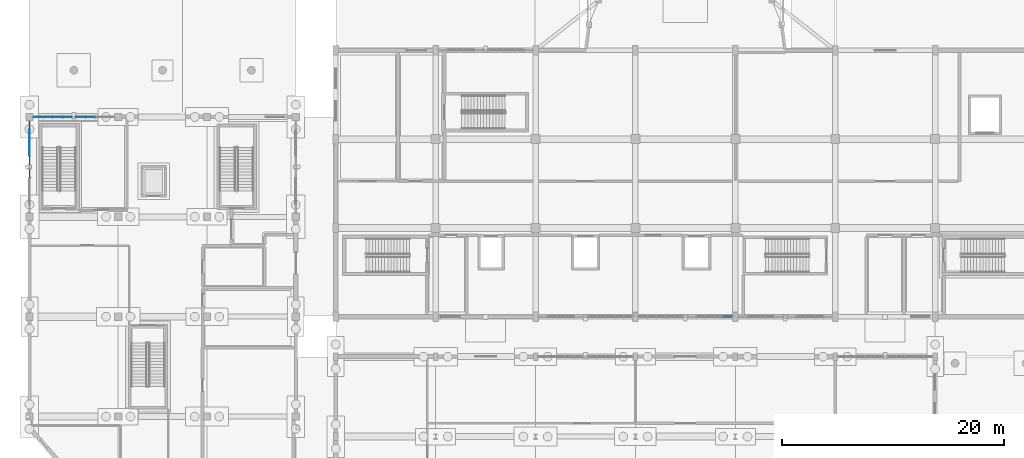
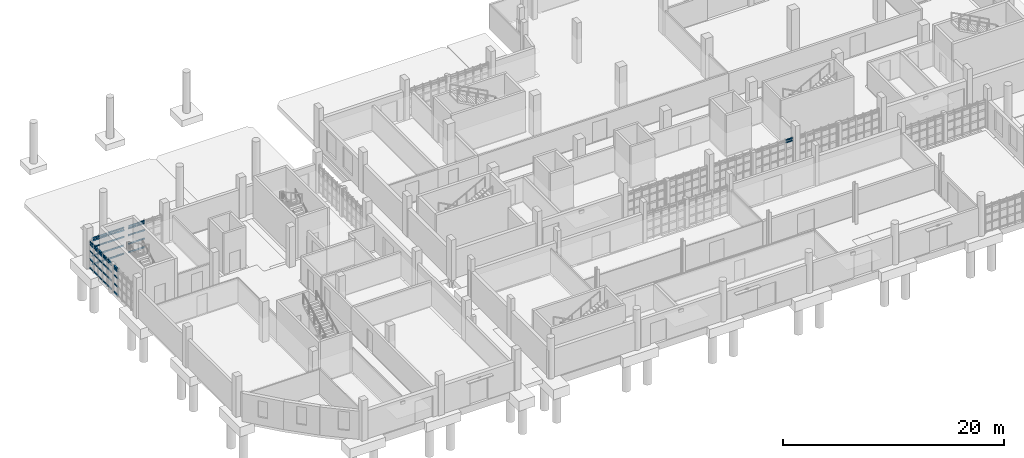
# One storey, part 24 of 63: 62 members, 5 elements without a shape of their own.
"""IFC4 building model written with IfcOpenShell, lengths in metres."""

from ifc_helpers import new_model, si_unit, direction, frame, origin, origin_2d, place, context, subcontext, project, spatial, rectangle, extrude, material, material_profile, profile_set, type_object, element, aggregate, save


model = new_model("IFC4")

# Units and contexts
model_context = context("Model", 3, precision=1e-05, world=origin(), true_north=direction((0.0, 1.0)))
body_context = subcontext(model_context, "Body", "Model", "MODEL_VIEW")
ifc_project = project(units=[si_unit("LENGTHUNIT", "METRE"), si_unit("AREAUNIT", "SQUARE_METRE"), si_unit("VOLUMEUNIT", "CUBIC_METRE"), si_unit("PLANEANGLEUNIT", "RADIAN"), si_unit("MASSUNIT", "GRAM", prefix="KILO")], contexts=[model_context])

# Site, building, storey
site_placement = place(None, origin())
site = spatial("IfcSite", under=ifc_project, at=site_placement, CompositionType="ELEMENT")
building_placement = place(site_placement, origin())
building = spatial("IfcBuilding", under=site, at=building_placement, Name="Serraforn Aerial Cableway Station", CompositionType="ELEMENT")
storey_placement = place(building_placement, origin())
storey = spatial("IfcBuildingStorey", under=building, at=storey_placement, Name="L00", CompositionType="ELEMENT", Elevation=0.0)

# Curtain wall, members
ifc_material_1 = material(Name="Anodised bronze unitised curtain wall")
curtain_wall_type_1 = type_object("IfcCurtainWallType", Name="CW-SYS-1", PredefinedType="USERDEFINED", material=ifc_material_1)
curtain_wall_1_placement = place(storey_placement, origin())
curtain_wall_1 = element("IfcCurtainWall", 1, at=curtain_wall_1_placement, inside=storey, type_object=curtain_wall_type_1, Name="Unitised Curtain Wall CW-W-L00-N1A", ObjectType="UNITISED CURTAIN WALL", PredefinedType="USERDEFINED")
ifc_material_2 = material(Name="Anodised bronze extruded aluminium", Category="aluminium")
ifc_material_profile_1 = material_profile(ifc_material_2, rectangle(XDim=0.054931640625, YDim=0.110107421875, at=origin_2d()), Name="CW TRANSOM 55x110")
ifc_profile_set_1 = profile_set([ifc_material_profile_1], Name="Anodised bronze extruded aluminium")
member_type_1 = type_object("IfcMemberType", Name="CW-TRN-1", PredefinedType="USERDEFINED", material=ifc_profile_set_1)
member_1_placement = place(storey_placement, frame((5.8955078125, 36.0, 1.060791015625), z_axis=(-1.0, 0.0, 0.0), x_axis=(0.0, -1.0, 0.0)))
member_1 = element("IfcMember", 2, at=member_1_placement, type_object=member_type_1, Name="Curtain Wall Transom CW-W-L00-N1A-T3-2", ObjectType="TRANSOM", PredefinedType="USERDEFINED", context=body_context, shape_type="SweptSolid", body=[
    extrude(rectangle(XDim=0.054931640625, YDim=0.110107421875, at=origin_2d()), origin(), (0.0, 0.0, 1.0), 0.8056640625),
])
member_2_placement = place(storey_placement, frame((5.018798828125, 36.0, 0.124755859375), z_axis=(-1.0, 0.0, 0.0), x_axis=(0.0, -1.0, 0.0)))
member_2 = element("IfcMember", 3, at=member_2_placement, type_object=member_type_1, Name="Curtain Wall Transom CW-W-L00-N1A-T4-1", ObjectType="TRANSOM", PredefinedType="USERDEFINED", context=body_context, shape_type="SweptSolid", body=[
    extrude(rectangle(XDim=0.054931640625, YDim=0.110107421875, at=origin_2d()), origin(), (0.0, 0.0, 1.0), 0.785888671875),
])

curtain_wall_type_2 = type_object("IfcCurtainWallType", Name="CW-SYS-2", PredefinedType="USERDEFINED", material=ifc_material_1)
curtain_wall_2_placement = place(storey_placement, origin())
curtain_wall_2 = element("IfcCurtainWall", 4, at=curtain_wall_2_placement, inside=storey, type_object=curtain_wall_type_2, Name="Unitised Curtain Wall CW-W-L00-N1B", ObjectType="UNITISED CURTAIN WALL", PredefinedType="USERDEFINED")
member_3_placement = place(storey_placement, frame((3.757080078125, 36.0, 1.996826171875), z_axis=(-1.0, 0.0, 0.0), x_axis=(0.0, -1.0, 0.0)))
member_3 = element("IfcMember", 5, at=member_3_placement, type_object=member_type_1, Name="Curtain Wall Transom CW-W-L00-N1B-T1-3", ObjectType="TRANSOM", PredefinedType="USERDEFINED", context=body_context, shape_type="SweptSolid", body=[
    extrude(rectangle(XDim=0.054931640625, YDim=0.110107421875, at=origin_2d()), origin(), (0.0, 0.0, 1.0), 0.7783203125),
])
member_4_placement = place(storey_placement, frame((2.91259765625, 36.0, 1.060791015625), z_axis=(-1.0, 0.0, 0.0), x_axis=(0.0, -1.0, 0.0)))
member_4 = element("IfcMember", 6, at=member_4_placement, type_object=member_type_1, Name="Curtain Wall Transom CW-W-L00-N1B-T2-2", ObjectType="TRANSOM", PredefinedType="USERDEFINED", context=body_context, shape_type="SweptSolid", body=[
    extrude(rectangle(XDim=0.054931640625, YDim=0.110107421875, at=origin_2d()), origin(), (0.0, 0.0, 1.0), 0.8056640625),
])
member_5_placement = place(storey_placement, frame((2.035888671875, 36.0, 0.124755859375), z_axis=(-1.0, 0.0, 0.0), x_axis=(0.0, -1.0, 0.0)))
member_5 = element("IfcMember", 7, at=member_5_placement, type_object=member_type_1, Name="Curtain Wall Transom CW-W-L00-N1B-T3-1", ObjectType="TRANSOM", PredefinedType="USERDEFINED", context=body_context, shape_type="SweptSolid", body=[
    extrude(rectangle(XDim=0.054931640625, YDim=0.110107421875, at=origin_2d()), origin(), (0.0, 0.0, 1.0), 0.81298828125),
])
member_6_placement = place(storey_placement, frame((1.171630859375, 36.0, 2.9951171875), z_axis=(-1.0, 0.0, 0.0), x_axis=(0.0, -1.0, 0.0)))
member_6 = element("IfcMember", 8, at=member_6_placement, type_object=member_type_1, Name="Curtain Wall Transom CW-W-L00-N1B-T4-5", ObjectType="TRANSOM", PredefinedType="USERDEFINED", context=body_context, shape_type="SweptSolid", body=[
    extrude(rectangle(XDim=0.054931640625, YDim=0.110107421875, at=origin_2d()), origin(), (0.0, 0.0, 1.0), 0.79052734375),
])

curtain_wall_type_3 = type_object("IfcCurtainWallType", Name="CW-SYS-7", PredefinedType="USERDEFINED", material=ifc_material_1)
curtain_wall_3_placement = place(storey_placement, origin())
curtain_wall_3 = element("IfcCurtainWall", 9, at=curtain_wall_3_placement, inside=storey, type_object=curtain_wall_type_3, Name="Unitised Curtain Wall CW-W-L00-W4A", ObjectType="UNITISED CURTAIN WALL", PredefinedType="USERDEFINED")
member_7_placement = place(storey_placement, frame((0.0, 35.614013671875, 1.996826171875), z_axis=(0.0, -1.0, 0.0), x_axis=(1.0, 0.0, 0.0)))
member_7 = element("IfcMember", 10, at=member_7_placement, type_object=member_type_1, Name="Curtain Wall Transom CW-W-L00-W4A-T1-3", ObjectType="TRANSOM", PredefinedType="USERDEFINED", context=body_context, shape_type="SweptSolid", body=[
    extrude(rectangle(XDim=0.054931640625, YDim=0.110107421875, at=origin_2d()), origin(), (0.0, 0.0, 1.0), 0.703369140625),
])
member_8_placement = place(storey_placement, frame((0.0, 34.844482421875, 1.060791015625), z_axis=(0.0, -1.0, 0.0), x_axis=(1.0, 0.0, 0.0)))
member_8 = element("IfcMember", 11, at=member_8_placement, type_object=member_type_1, Name="Curtain Wall Transom CW-W-L00-W4A-T2-2", ObjectType="TRANSOM", PredefinedType="USERDEFINED", context=body_context, shape_type="SweptSolid", body=[
    extrude(rectangle(XDim=0.054931640625, YDim=0.110107421875, at=origin_2d()), origin(), (0.0, 0.0, 1.0), 0.730712890625),
])
member_9_placement = place(storey_placement, frame((0.0, 34.042724609375, 0.124755859375), z_axis=(0.0, -1.0, 0.0), x_axis=(1.0, 0.0, 0.0)))
member_9 = element("IfcMember", 12, at=member_9_placement, type_object=member_type_1, Name="Curtain Wall Transom CW-W-L00-W4A-T3-1", ObjectType="TRANSOM", PredefinedType="USERDEFINED", context=body_context, shape_type="SweptSolid", body=[
    extrude(rectangle(XDim=0.054931640625, YDim=0.110107421875, at=origin_2d()), origin(), (0.0, 0.0, 1.0), 0.738525390625),
])
member_10_placement = place(storey_placement, frame((0.0, 33.25341796875, 2.9951171875), z_axis=(0.0, -1.0, 0.0), x_axis=(1.0, 0.0, 0.0)))
member_10 = element("IfcMember", 13, at=member_10_placement, type_object=member_type_1, Name="Curtain Wall Transom CW-W-L00-W4A-T4-5", ObjectType="TRANSOM", PredefinedType="USERDEFINED", context=body_context, shape_type="SweptSolid", body=[
    extrude(rectangle(XDim=0.054931640625, YDim=0.110107421875, at=origin_2d()), origin(), (0.0, 0.0, 1.0), 0.74609375),
])
member_11_placement = place(storey_placement, frame((0.0, 32.451416015625, 2.74560546875), z_axis=(0.0, -1.0, 0.0), x_axis=(1.0, 0.0, 0.0)))
member_11 = element("IfcMember", 14, at=member_11_placement, type_object=member_type_1, Name="Curtain Wall Transom CW-W-L00-W4A-T5-4", ObjectType="TRANSOM", PredefinedType="USERDEFINED", context=body_context, shape_type="SweptSolid", body=[
    extrude(rectangle(XDim=0.054931640625, YDim=0.110107421875, at=origin_2d()), origin(), (0.0, 0.0, 1.0), 0.70849609375),
])

# Curtain wall, member
curtain_wall_type_4 = type_object("IfcCurtainWallType", Name="CW-SYS-8", PredefinedType="USERDEFINED", material=ifc_material_1)
curtain_wall_4_placement = place(storey_placement, origin())
curtain_wall_4 = element("IfcCurtainWall", 15, at=curtain_wall_4_placement, inside=storey, type_object=curtain_wall_type_4, Name="Unitised Curtain Wall CW-W-L00-W4B", ObjectType="UNITISED CURTAIN WALL", PredefinedType="USERDEFINED")
member_12_placement = place(storey_placement, frame((0.0, 31.251953125, 1.060791015625), z_axis=(0.0, -1.0, 0.0), x_axis=(1.0, 0.0, 0.0)))
member_12 = element("IfcMember", 16, at=member_12_placement, type_object=member_type_1, Name="Curtain Wall Transom CW-W-L00-W4B-T1-2", ObjectType="TRANSOM", PredefinedType="USERDEFINED", context=body_context, shape_type="SweptSolid", body=[
    extrude(rectangle(XDim=0.054931640625, YDim=0.110107421875, at=origin_2d()), origin(), (0.0, 0.0, 1.0), 0.69580078125),
])

curtain_wall_type_5 = type_object("IfcCurtainWallType", Name="CW-SYS-6", PredefinedType="USERDEFINED", material=ifc_material_1)
curtain_wall_5_placement = place(storey_placement, origin())
curtain_wall_5 = element("IfcCurtainWall", 17, at=curtain_wall_5_placement, inside=storey, type_object=curtain_wall_type_5, Name="Unitised Curtain Wall CW-CV-L00-S4B", ObjectType="UNITISED CURTAIN WALL", PredefinedType="USERDEFINED")
member_13_placement = place(storey_placement, frame((62.565673828125, 18.0, 2.74560546875), z_axis=(1.0, 0.0, 0.0), x_axis=(0.0, 1.0, 0.0)))
member_13 = element("IfcMember", 18, at=member_13_placement, type_object=member_type_1, Name="Curtain Wall Transom CW-CV-L00-S4B-T5-4", ObjectType="TRANSOM", PredefinedType="USERDEFINED", context=body_context, shape_type="SweptSolid", body=[
    extrude(rectangle(XDim=0.054931640625, YDim=0.110107421875, at=origin_2d()), origin(), (0.0, 0.0, 1.0), 0.723388671875),
])

# Member
ifc_material_profile_2 = material_profile(ifc_material_2, rectangle(XDim=0.06005859375, YDim=0.1201171875, at=origin_2d()), Name="CW TRANSOM 60x120")
ifc_profile_set_2 = profile_set([ifc_material_profile_2], Name="Anodised bronze extruded aluminium")
member_type_2 = type_object("IfcMemberType", Name="CW-TRN-2", PredefinedType="USERDEFINED", material=ifc_profile_set_2)
member_14_placement = place(storey_placement, frame((5.8955078125, 36.0, 1.996826171875), z_axis=(-1.0, 0.0, 0.0), x_axis=(0.0, -1.0, 0.0)))
member_14 = element("IfcMember", 19, at=member_14_placement, type_object=member_type_2, Name="Curtain Wall Transom CW-W-L00-N1A-T3-3", ObjectType="TRANSOM", PredefinedType="USERDEFINED", context=body_context, shape_type="SweptSolid", body=[
    extrude(rectangle(XDim=0.06005859375, YDim=0.1201171875, at=origin_2d()), origin(), (0.0, 0.0, 1.0), 0.8056640625),
])

member_15_placement = place(storey_placement, frame((5.018798828125, 36.0, 1.060791015625), z_axis=(-1.0, 0.0, 0.0), x_axis=(0.0, -1.0, 0.0)))
member_15 = element("IfcMember", 20, at=member_15_placement, type_object=member_type_2, Name="Curtain Wall Transom CW-W-L00-N1A-T4-2", ObjectType="TRANSOM", PredefinedType="USERDEFINED", context=body_context, shape_type="SweptSolid", body=[
    extrude(rectangle(XDim=0.06005859375, YDim=0.1201171875, at=origin_2d()), origin(), (0.0, 0.0, 1.0), 0.785888671875),
])

member_16_placement = place(storey_placement, frame((3.757080078125, 36.0, 2.74560546875), z_axis=(-1.0, 0.0, 0.0), x_axis=(0.0, -1.0, 0.0)))
member_16 = element("IfcMember", 21, at=member_16_placement, type_object=member_type_2, Name="Curtain Wall Transom CW-W-L00-N1B-T1-4", ObjectType="TRANSOM", PredefinedType="USERDEFINED", context=body_context, shape_type="SweptSolid", body=[
    extrude(rectangle(XDim=0.06005859375, YDim=0.1201171875, at=origin_2d()), origin(), (0.0, 0.0, 1.0), 0.7783203125),
])

member_17_placement = place(storey_placement, frame((2.91259765625, 36.0, 1.996826171875), z_axis=(-1.0, 0.0, 0.0), x_axis=(0.0, -1.0, 0.0)))
member_17 = element("IfcMember", 22, at=member_17_placement, type_object=member_type_2, Name="Curtain Wall Transom CW-W-L00-N1B-T2-3", ObjectType="TRANSOM", PredefinedType="USERDEFINED", context=body_context, shape_type="SweptSolid", body=[
    extrude(rectangle(XDim=0.06005859375, YDim=0.1201171875, at=origin_2d()), origin(), (0.0, 0.0, 1.0), 0.8056640625),
])

member_18_placement = place(storey_placement, frame((2.035888671875, 36.0, 1.060791015625), z_axis=(-1.0, 0.0, 0.0), x_axis=(0.0, -1.0, 0.0)))
member_18 = element("IfcMember", 23, at=member_18_placement, type_object=member_type_2, Name="Curtain Wall Transom CW-W-L00-N1B-T3-2", ObjectType="TRANSOM", PredefinedType="USERDEFINED", context=body_context, shape_type="SweptSolid", body=[
    extrude(rectangle(XDim=0.06005859375, YDim=0.1201171875, at=origin_2d()), origin(), (0.0, 0.0, 1.0), 0.81298828125),
])

member_19_placement = place(storey_placement, frame((1.171630859375, 36.0, 0.124755859375), z_axis=(-1.0, 0.0, 0.0), x_axis=(0.0, -1.0, 0.0)))
member_19 = element("IfcMember", 24, at=member_19_placement, type_object=member_type_2, Name="Curtain Wall Transom CW-W-L00-N1B-T4-1", ObjectType="TRANSOM", PredefinedType="USERDEFINED", context=body_context, shape_type="SweptSolid", body=[
    extrude(rectangle(XDim=0.06005859375, YDim=0.1201171875, at=origin_2d()), origin(), (0.0, 0.0, 1.0), 0.79052734375),
])

member_20_placement = place(storey_placement, frame((0.0, 35.614013671875, 2.74560546875), z_axis=(0.0, -1.0, 0.0), x_axis=(1.0, 0.0, 0.0)))
member_20 = element("IfcMember", 25, at=member_20_placement, type_object=member_type_2, Name="Curtain Wall Transom CW-W-L00-W4A-T1-4", ObjectType="TRANSOM", PredefinedType="USERDEFINED", context=body_context, shape_type="SweptSolid", body=[
    extrude(rectangle(XDim=0.06005859375, YDim=0.1201171875, at=origin_2d()), origin(), (0.0, 0.0, 1.0), 0.703369140625),
])

member_21_placement = place(storey_placement, frame((0.0, 34.844482421875, 1.996826171875), z_axis=(0.0, -1.0, 0.0), x_axis=(1.0, 0.0, 0.0)))
member_21 = element("IfcMember", 26, at=member_21_placement, type_object=member_type_2, Name="Curtain Wall Transom CW-W-L00-W4A-T2-3", ObjectType="TRANSOM", PredefinedType="USERDEFINED", context=body_context, shape_type="SweptSolid", body=[
    extrude(rectangle(XDim=0.06005859375, YDim=0.1201171875, at=origin_2d()), origin(), (0.0, 0.0, 1.0), 0.730712890625),
])

member_22_placement = place(storey_placement, frame((0.0, 34.042724609375, 1.060791015625), z_axis=(0.0, -1.0, 0.0), x_axis=(1.0, 0.0, 0.0)))
member_22 = element("IfcMember", 27, at=member_22_placement, type_object=member_type_2, Name="Curtain Wall Transom CW-W-L00-W4A-T3-2", ObjectType="TRANSOM", PredefinedType="USERDEFINED", context=body_context, shape_type="SweptSolid", body=[
    extrude(rectangle(XDim=0.06005859375, YDim=0.1201171875, at=origin_2d()), origin(), (0.0, 0.0, 1.0), 0.738525390625),
])

member_23_placement = place(storey_placement, frame((0.0, 33.25341796875, 0.124755859375), z_axis=(0.0, -1.0, 0.0), x_axis=(1.0, 0.0, 0.0)))
member_23 = element("IfcMember", 28, at=member_23_placement, type_object=member_type_2, Name="Curtain Wall Transom CW-W-L00-W4A-T4-1", ObjectType="TRANSOM", PredefinedType="USERDEFINED", context=body_context, shape_type="SweptSolid", body=[
    extrude(rectangle(XDim=0.06005859375, YDim=0.1201171875, at=origin_2d()), origin(), (0.0, 0.0, 1.0), 0.74609375),
])

member_24_placement = place(storey_placement, frame((0.0, 32.451416015625, 2.9951171875), z_axis=(0.0, -1.0, 0.0), x_axis=(1.0, 0.0, 0.0)))
member_24 = element("IfcMember", 29, at=member_24_placement, type_object=member_type_2, Name="Curtain Wall Transom CW-W-L00-W4A-T5-5", ObjectType="TRANSOM", PredefinedType="USERDEFINED", context=body_context, shape_type="SweptSolid", body=[
    extrude(rectangle(XDim=0.06005859375, YDim=0.1201171875, at=origin_2d()), origin(), (0.0, 0.0, 1.0), 0.70849609375),
])

member_25_placement = place(storey_placement, frame((0.0, 31.251953125, 1.996826171875), z_axis=(0.0, -1.0, 0.0), x_axis=(1.0, 0.0, 0.0)))
member_25 = element("IfcMember", 30, at=member_25_placement, type_object=member_type_2, Name="Curtain Wall Transom CW-W-L00-W4B-T1-3", ObjectType="TRANSOM", PredefinedType="USERDEFINED", context=body_context, shape_type="SweptSolid", body=[
    extrude(rectangle(XDim=0.06005859375, YDim=0.1201171875, at=origin_2d()), origin(), (0.0, 0.0, 1.0), 0.69580078125),
])

member_26_placement = place(storey_placement, frame((62.565673828125, 18.0, 2.9951171875), z_axis=(1.0, 0.0, 0.0), x_axis=(0.0, 1.0, 0.0)))
member_26 = element("IfcMember", 31, at=member_26_placement, type_object=member_type_2, Name="Curtain Wall Transom CW-CV-L00-S4B-T5-5", ObjectType="TRANSOM", PredefinedType="USERDEFINED", context=body_context, shape_type="SweptSolid", body=[
    extrude(rectangle(XDim=0.06005859375, YDim=0.1201171875, at=origin_2d()), origin(), (0.0, 0.0, 1.0), 0.723388671875),
])

aggregate(curtain_wall_5, [member_13, member_26])

ifc_material_profile_3 = material_profile(ifc_material_2, rectangle(XDim=0.06494140625, YDim=0.135009765625, at=origin_2d()), Name="CW TRANSOM 65x135")
ifc_profile_set_3 = profile_set([ifc_material_profile_3], Name="Anodised bronze extruded aluminium")
member_type_3 = type_object("IfcMemberType", Name="CW-TRN-3", PredefinedType="USERDEFINED", material=ifc_profile_set_3)
member_27_placement = place(storey_placement, frame((5.8955078125, 36.0, 2.74560546875), z_axis=(-1.0, 0.0, 0.0), x_axis=(0.0, -1.0, 0.0)))
member_27 = element("IfcMember", 32, at=member_27_placement, type_object=member_type_3, Name="Curtain Wall Transom CW-W-L00-N1A-T3-4", ObjectType="TRANSOM", PredefinedType="USERDEFINED", context=body_context, shape_type="SweptSolid", body=[
    extrude(rectangle(XDim=0.06494140625, YDim=0.135009765625, at=origin_2d()), origin(), (0.0, 0.0, 1.0), 0.8056640625),
])

member_28_placement = place(storey_placement, frame((5.018798828125, 36.0, 1.996826171875), z_axis=(-1.0, 0.0, 0.0), x_axis=(0.0, -1.0, 0.0)))
member_28 = element("IfcMember", 33, at=member_28_placement, type_object=member_type_3, Name="Curtain Wall Transom CW-W-L00-N1A-T4-3", ObjectType="TRANSOM", PredefinedType="USERDEFINED", context=body_context, shape_type="SweptSolid", body=[
    extrude(rectangle(XDim=0.06494140625, YDim=0.135009765625, at=origin_2d()), origin(), (0.0, 0.0, 1.0), 0.785888671875),
])

member_29_placement = place(storey_placement, frame((3.757080078125, 36.0, 2.9951171875), z_axis=(-1.0, 0.0, 0.0), x_axis=(0.0, -1.0, 0.0)))
member_29 = element("IfcMember", 34, at=member_29_placement, type_object=member_type_3, Name="Curtain Wall Transom CW-W-L00-N1B-T1-5", ObjectType="TRANSOM", PredefinedType="USERDEFINED", context=body_context, shape_type="SweptSolid", body=[
    extrude(rectangle(XDim=0.06494140625, YDim=0.135009765625, at=origin_2d()), origin(), (0.0, 0.0, 1.0), 0.7783203125),
])

member_30_placement = place(storey_placement, frame((2.91259765625, 36.0, 2.74560546875), z_axis=(-1.0, 0.0, 0.0), x_axis=(0.0, -1.0, 0.0)))
member_30 = element("IfcMember", 35, at=member_30_placement, type_object=member_type_3, Name="Curtain Wall Transom CW-W-L00-N1B-T2-4", ObjectType="TRANSOM", PredefinedType="USERDEFINED", context=body_context, shape_type="SweptSolid", body=[
    extrude(rectangle(XDim=0.06494140625, YDim=0.135009765625, at=origin_2d()), origin(), (0.0, 0.0, 1.0), 0.8056640625),
])

member_31_placement = place(storey_placement, frame((2.035888671875, 36.0, 1.996826171875), z_axis=(-1.0, 0.0, 0.0), x_axis=(0.0, -1.0, 0.0)))
member_31 = element("IfcMember", 36, at=member_31_placement, type_object=member_type_3, Name="Curtain Wall Transom CW-W-L00-N1B-T3-3", ObjectType="TRANSOM", PredefinedType="USERDEFINED", context=body_context, shape_type="SweptSolid", body=[
    extrude(rectangle(XDim=0.06494140625, YDim=0.135009765625, at=origin_2d()), origin(), (0.0, 0.0, 1.0), 0.81298828125),
])

member_32_placement = place(storey_placement, frame((1.171630859375, 36.0, 1.060791015625), z_axis=(-1.0, 0.0, 0.0), x_axis=(0.0, -1.0, 0.0)))
member_32 = element("IfcMember", 37, at=member_32_placement, type_object=member_type_3, Name="Curtain Wall Transom CW-W-L00-N1B-T4-2", ObjectType="TRANSOM", PredefinedType="USERDEFINED", context=body_context, shape_type="SweptSolid", body=[
    extrude(rectangle(XDim=0.06494140625, YDim=0.135009765625, at=origin_2d()), origin(), (0.0, 0.0, 1.0), 0.79052734375),
])

member_33_placement = place(storey_placement, frame((0.0, 35.614013671875, 2.9951171875), z_axis=(0.0, -1.0, 0.0), x_axis=(1.0, 0.0, 0.0)))
member_33 = element("IfcMember", 38, at=member_33_placement, type_object=member_type_3, Name="Curtain Wall Transom CW-W-L00-W4A-T1-5", ObjectType="TRANSOM", PredefinedType="USERDEFINED", context=body_context, shape_type="SweptSolid", body=[
    extrude(rectangle(XDim=0.06494140625, YDim=0.135009765625, at=origin_2d()), origin(), (0.0, 0.0, 1.0), 0.703369140625),
])

member_34_placement = place(storey_placement, frame((0.0, 34.844482421875, 2.74560546875), z_axis=(0.0, -1.0, 0.0), x_axis=(1.0, 0.0, 0.0)))
member_34 = element("IfcMember", 39, at=member_34_placement, type_object=member_type_3, Name="Curtain Wall Transom CW-W-L00-W4A-T2-4", ObjectType="TRANSOM", PredefinedType="USERDEFINED", context=body_context, shape_type="SweptSolid", body=[
    extrude(rectangle(XDim=0.06494140625, YDim=0.135009765625, at=origin_2d()), origin(), (0.0, 0.0, 1.0), 0.730712890625),
])

member_35_placement = place(storey_placement, frame((0.0, 34.042724609375, 1.996826171875), z_axis=(0.0, -1.0, 0.0), x_axis=(1.0, 0.0, 0.0)))
member_35 = element("IfcMember", 40, at=member_35_placement, type_object=member_type_3, Name="Curtain Wall Transom CW-W-L00-W4A-T3-3", ObjectType="TRANSOM", PredefinedType="USERDEFINED", context=body_context, shape_type="SweptSolid", body=[
    extrude(rectangle(XDim=0.06494140625, YDim=0.135009765625, at=origin_2d()), origin(), (0.0, 0.0, 1.0), 0.738525390625),
])

member_36_placement = place(storey_placement, frame((0.0, 33.25341796875, 1.060791015625), z_axis=(0.0, -1.0, 0.0), x_axis=(1.0, 0.0, 0.0)))
member_36 = element("IfcMember", 41, at=member_36_placement, type_object=member_type_3, Name="Curtain Wall Transom CW-W-L00-W4A-T4-2", ObjectType="TRANSOM", PredefinedType="USERDEFINED", context=body_context, shape_type="SweptSolid", body=[
    extrude(rectangle(XDim=0.06494140625, YDim=0.135009765625, at=origin_2d()), origin(), (0.0, 0.0, 1.0), 0.74609375),
])

member_37_placement = place(storey_placement, frame((0.0, 32.451416015625, 0.124755859375), z_axis=(0.0, -1.0, 0.0), x_axis=(1.0, 0.0, 0.0)))
member_37 = element("IfcMember", 42, at=member_37_placement, type_object=member_type_3, Name="Curtain Wall Transom CW-W-L00-W4A-T5-1", ObjectType="TRANSOM", PredefinedType="USERDEFINED", context=body_context, shape_type="SweptSolid", body=[
    extrude(rectangle(XDim=0.06494140625, YDim=0.135009765625, at=origin_2d()), origin(), (0.0, 0.0, 1.0), 0.70849609375),
])

member_38_placement = place(storey_placement, frame((0.0, 31.251953125, 2.74560546875), z_axis=(0.0, -1.0, 0.0), x_axis=(1.0, 0.0, 0.0)))
member_38 = element("IfcMember", 43, at=member_38_placement, type_object=member_type_3, Name="Curtain Wall Transom CW-W-L00-W4B-T1-4", ObjectType="TRANSOM", PredefinedType="USERDEFINED", context=body_context, shape_type="SweptSolid", body=[
    extrude(rectangle(XDim=0.06494140625, YDim=0.135009765625, at=origin_2d()), origin(), (0.0, 0.0, 1.0), 0.69580078125),
])

ifc_material_profile_4 = material_profile(ifc_material_2, rectangle(XDim=0.070068359375, YDim=0.14990234375, at=origin_2d()), Name="CW TRANSOM 70x150")
ifc_profile_set_4 = profile_set([ifc_material_profile_4], Name="Anodised bronze extruded aluminium")
member_type_4 = type_object("IfcMemberType", Name="CW-TRN-4", PredefinedType="USERDEFINED", material=ifc_profile_set_4)
member_39_placement = place(storey_placement, frame((5.8955078125, 36.0, 2.9951171875), z_axis=(-1.0, 0.0, 0.0), x_axis=(0.0, -1.0, 0.0)))
member_39 = element("IfcMember", 44, at=member_39_placement, type_object=member_type_4, Name="Curtain Wall Transom CW-W-L00-N1A-T3-5", ObjectType="TRANSOM", PredefinedType="USERDEFINED", context=body_context, shape_type="SweptSolid", body=[
    extrude(rectangle(XDim=0.070068359375, YDim=0.14990234375, at=origin_2d()), origin(), (0.0, 0.0, 1.0), 0.8056640625),
])

member_40_placement = place(storey_placement, frame((5.018798828125, 36.0, 2.74560546875), z_axis=(-1.0, 0.0, 0.0), x_axis=(0.0, -1.0, 0.0)))
member_40 = element("IfcMember", 45, at=member_40_placement, type_object=member_type_4, Name="Curtain Wall Transom CW-W-L00-N1A-T4-4", ObjectType="TRANSOM", PredefinedType="USERDEFINED", context=body_context, shape_type="SweptSolid", body=[
    extrude(rectangle(XDim=0.070068359375, YDim=0.14990234375, at=origin_2d()), origin(), (0.0, 0.0, 1.0), 0.785888671875),
])

member_41_placement = place(storey_placement, frame((3.757080078125, 36.0, 0.124755859375), z_axis=(-1.0, 0.0, 0.0), x_axis=(0.0, -1.0, 0.0)))
member_41 = element("IfcMember", 46, at=member_41_placement, type_object=member_type_4, Name="Curtain Wall Transom CW-W-L00-N1B-T1-1", ObjectType="TRANSOM", PredefinedType="USERDEFINED", context=body_context, shape_type="SweptSolid", body=[
    extrude(rectangle(XDim=0.070068359375, YDim=0.14990234375, at=origin_2d()), origin(), (0.0, 0.0, 1.0), 0.7783203125),
])

member_42_placement = place(storey_placement, frame((2.91259765625, 36.0, 2.9951171875), z_axis=(-1.0, 0.0, 0.0), x_axis=(0.0, -1.0, 0.0)))
member_42 = element("IfcMember", 47, at=member_42_placement, type_object=member_type_4, Name="Curtain Wall Transom CW-W-L00-N1B-T2-5", ObjectType="TRANSOM", PredefinedType="USERDEFINED", context=body_context, shape_type="SweptSolid", body=[
    extrude(rectangle(XDim=0.070068359375, YDim=0.14990234375, at=origin_2d()), origin(), (0.0, 0.0, 1.0), 0.8056640625),
])

member_43_placement = place(storey_placement, frame((2.035888671875, 36.0, 2.74560546875), z_axis=(-1.0, 0.0, 0.0), x_axis=(0.0, -1.0, 0.0)))
member_43 = element("IfcMember", 48, at=member_43_placement, type_object=member_type_4, Name="Curtain Wall Transom CW-W-L00-N1B-T3-4", ObjectType="TRANSOM", PredefinedType="USERDEFINED", context=body_context, shape_type="SweptSolid", body=[
    extrude(rectangle(XDim=0.070068359375, YDim=0.14990234375, at=origin_2d()), origin(), (0.0, 0.0, 1.0), 0.81298828125),
])

member_44_placement = place(storey_placement, frame((1.171630859375, 36.0, 1.996826171875), z_axis=(-1.0, 0.0, 0.0), x_axis=(0.0, -1.0, 0.0)))
member_44 = element("IfcMember", 49, at=member_44_placement, type_object=member_type_4, Name="Curtain Wall Transom CW-W-L00-N1B-T4-3", ObjectType="TRANSOM", PredefinedType="USERDEFINED", context=body_context, shape_type="SweptSolid", body=[
    extrude(rectangle(XDim=0.070068359375, YDim=0.14990234375, at=origin_2d()), origin(), (0.0, 0.0, 1.0), 0.79052734375),
])

member_45_placement = place(storey_placement, frame((0.0, 35.614013671875, 0.124755859375), z_axis=(0.0, -1.0, 0.0), x_axis=(1.0, 0.0, 0.0)))
member_45 = element("IfcMember", 50, at=member_45_placement, type_object=member_type_4, Name="Curtain Wall Transom CW-W-L00-W4A-T1-1", ObjectType="TRANSOM", PredefinedType="USERDEFINED", context=body_context, shape_type="SweptSolid", body=[
    extrude(rectangle(XDim=0.070068359375, YDim=0.14990234375, at=origin_2d()), origin(), (0.0, 0.0, 1.0), 0.703369140625),
])

member_46_placement = place(storey_placement, frame((0.0, 34.844482421875, 2.9951171875), z_axis=(0.0, -1.0, 0.0), x_axis=(1.0, 0.0, 0.0)))
member_46 = element("IfcMember", 51, at=member_46_placement, type_object=member_type_4, Name="Curtain Wall Transom CW-W-L00-W4A-T2-5", ObjectType="TRANSOM", PredefinedType="USERDEFINED", context=body_context, shape_type="SweptSolid", body=[
    extrude(rectangle(XDim=0.070068359375, YDim=0.14990234375, at=origin_2d()), origin(), (0.0, 0.0, 1.0), 0.730712890625),
])

member_47_placement = place(storey_placement, frame((0.0, 34.042724609375, 2.74560546875), z_axis=(0.0, -1.0, 0.0), x_axis=(1.0, 0.0, 0.0)))
member_47 = element("IfcMember", 52, at=member_47_placement, type_object=member_type_4, Name="Curtain Wall Transom CW-W-L00-W4A-T3-4", ObjectType="TRANSOM", PredefinedType="USERDEFINED", context=body_context, shape_type="SweptSolid", body=[
    extrude(rectangle(XDim=0.070068359375, YDim=0.14990234375, at=origin_2d()), origin(), (0.0, 0.0, 1.0), 0.738525390625),
])

member_48_placement = place(storey_placement, frame((0.0, 33.25341796875, 1.996826171875), z_axis=(0.0, -1.0, 0.0), x_axis=(1.0, 0.0, 0.0)))
member_48 = element("IfcMember", 53, at=member_48_placement, type_object=member_type_4, Name="Curtain Wall Transom CW-W-L00-W4A-T4-3", ObjectType="TRANSOM", PredefinedType="USERDEFINED", context=body_context, shape_type="SweptSolid", body=[
    extrude(rectangle(XDim=0.070068359375, YDim=0.14990234375, at=origin_2d()), origin(), (0.0, 0.0, 1.0), 0.74609375),
])

member_49_placement = place(storey_placement, frame((0.0, 32.451416015625, 1.060791015625), z_axis=(0.0, -1.0, 0.0), x_axis=(1.0, 0.0, 0.0)))
member_49 = element("IfcMember", 54, at=member_49_placement, type_object=member_type_4, Name="Curtain Wall Transom CW-W-L00-W4A-T5-2", ObjectType="TRANSOM", PredefinedType="USERDEFINED", context=body_context, shape_type="SweptSolid", body=[
    extrude(rectangle(XDim=0.070068359375, YDim=0.14990234375, at=origin_2d()), origin(), (0.0, 0.0, 1.0), 0.70849609375),
])

member_50_placement = place(storey_placement, frame((0.0, 31.251953125, 2.9951171875), z_axis=(0.0, -1.0, 0.0), x_axis=(1.0, 0.0, 0.0)))
member_50 = element("IfcMember", 55, at=member_50_placement, type_object=member_type_4, Name="Curtain Wall Transom CW-W-L00-W4B-T1-5", ObjectType="TRANSOM", PredefinedType="USERDEFINED", context=body_context, shape_type="SweptSolid", body=[
    extrude(rectangle(XDim=0.070068359375, YDim=0.14990234375, at=origin_2d()), origin(), (0.0, 0.0, 1.0), 0.69580078125),
])

ifc_material_profile_5 = material_profile(ifc_material_2, rectangle(XDim=0.074951171875, YDim=0.1650390625, at=origin_2d()), Name="CW TRANSOM 75x165")
ifc_profile_set_5 = profile_set([ifc_material_profile_5], Name="Anodised bronze extruded aluminium")
member_type_5 = type_object("IfcMemberType", Name="CW-TRN-5", PredefinedType="USERDEFINED", material=ifc_profile_set_5)
member_51_placement = place(storey_placement, frame((5.8955078125, 36.0, 0.124755859375), z_axis=(-1.0, 0.0, 0.0), x_axis=(0.0, -1.0, 0.0)))
member_51 = element("IfcMember", 56, at=member_51_placement, type_object=member_type_5, Name="Curtain Wall Transom CW-W-L00-N1A-T3-1", ObjectType="TRANSOM", PredefinedType="USERDEFINED", context=body_context, shape_type="SweptSolid", body=[
    extrude(rectangle(XDim=0.074951171875, YDim=0.1650390625, at=origin_2d()), origin(), (0.0, 0.0, 1.0), 0.8056640625),
])

member_52_placement = place(storey_placement, frame((5.018798828125, 36.0, 2.9951171875), z_axis=(-1.0, 0.0, 0.0), x_axis=(0.0, -1.0, 0.0)))
member_52 = element("IfcMember", 57, at=member_52_placement, type_object=member_type_5, Name="Curtain Wall Transom CW-W-L00-N1A-T4-5", ObjectType="TRANSOM", PredefinedType="USERDEFINED", context=body_context, shape_type="SweptSolid", body=[
    extrude(rectangle(XDim=0.074951171875, YDim=0.1650390625, at=origin_2d()), origin(), (0.0, 0.0, 1.0), 0.785888671875),
])

aggregate(curtain_wall_1, [member_51, member_1, member_14, member_27, member_39, member_2, member_15, member_28, member_40, member_52])

member_53_placement = place(storey_placement, frame((3.757080078125, 36.0, 1.060791015625), z_axis=(-1.0, 0.0, 0.0), x_axis=(0.0, -1.0, 0.0)))
member_53 = element("IfcMember", 58, at=member_53_placement, type_object=member_type_5, Name="Curtain Wall Transom CW-W-L00-N1B-T1-2", ObjectType="TRANSOM", PredefinedType="USERDEFINED", context=body_context, shape_type="SweptSolid", body=[
    extrude(rectangle(XDim=0.074951171875, YDim=0.1650390625, at=origin_2d()), origin(), (0.0, 0.0, 1.0), 0.7783203125),
])

member_54_placement = place(storey_placement, frame((2.91259765625, 36.0, 0.124755859375), z_axis=(-1.0, 0.0, 0.0), x_axis=(0.0, -1.0, 0.0)))
member_54 = element("IfcMember", 59, at=member_54_placement, type_object=member_type_5, Name="Curtain Wall Transom CW-W-L00-N1B-T2-1", ObjectType="TRANSOM", PredefinedType="USERDEFINED", context=body_context, shape_type="SweptSolid", body=[
    extrude(rectangle(XDim=0.074951171875, YDim=0.1650390625, at=origin_2d()), origin(), (0.0, 0.0, 1.0), 0.8056640625),
])

member_55_placement = place(storey_placement, frame((2.035888671875, 36.0, 2.9951171875), z_axis=(-1.0, 0.0, 0.0), x_axis=(0.0, -1.0, 0.0)))
member_55 = element("IfcMember", 60, at=member_55_placement, type_object=member_type_5, Name="Curtain Wall Transom CW-W-L00-N1B-T3-5", ObjectType="TRANSOM", PredefinedType="USERDEFINED", context=body_context, shape_type="SweptSolid", body=[
    extrude(rectangle(XDim=0.074951171875, YDim=0.1650390625, at=origin_2d()), origin(), (0.0, 0.0, 1.0), 0.81298828125),
])

member_56_placement = place(storey_placement, frame((1.171630859375, 36.0, 2.74560546875), z_axis=(-1.0, 0.0, 0.0), x_axis=(0.0, -1.0, 0.0)))
member_56 = element("IfcMember", 61, at=member_56_placement, type_object=member_type_5, Name="Curtain Wall Transom CW-W-L00-N1B-T4-4", ObjectType="TRANSOM", PredefinedType="USERDEFINED", context=body_context, shape_type="SweptSolid", body=[
    extrude(rectangle(XDim=0.074951171875, YDim=0.1650390625, at=origin_2d()), origin(), (0.0, 0.0, 1.0), 0.79052734375),
])

aggregate(curtain_wall_2, [member_41, member_53, member_3, member_16, member_29, member_54, member_4, member_17, member_30, member_42, member_5, member_18, member_31, member_43, member_55, member_19, member_32, member_44, member_56, member_6])

member_57_placement = place(storey_placement, frame((0.0, 35.614013671875, 1.060791015625), z_axis=(0.0, -1.0, 0.0), x_axis=(1.0, 0.0, 0.0)))
member_57 = element("IfcMember", 62, at=member_57_placement, type_object=member_type_5, Name="Curtain Wall Transom CW-W-L00-W4A-T1-2", ObjectType="TRANSOM", PredefinedType="USERDEFINED", context=body_context, shape_type="SweptSolid", body=[
    extrude(rectangle(XDim=0.074951171875, YDim=0.1650390625, at=origin_2d()), origin(), (0.0, 0.0, 1.0), 0.703369140625),
])

member_58_placement = place(storey_placement, frame((0.0, 34.844482421875, 0.124755859375), z_axis=(0.0, -1.0, 0.0), x_axis=(1.0, 0.0, 0.0)))
member_58 = element("IfcMember", 63, at=member_58_placement, type_object=member_type_5, Name="Curtain Wall Transom CW-W-L00-W4A-T2-1", ObjectType="TRANSOM", PredefinedType="USERDEFINED", context=body_context, shape_type="SweptSolid", body=[
    extrude(rectangle(XDim=0.074951171875, YDim=0.1650390625, at=origin_2d()), origin(), (0.0, 0.0, 1.0), 0.730712890625),
])

member_59_placement = place(storey_placement, frame((0.0, 34.042724609375, 2.9951171875), z_axis=(0.0, -1.0, 0.0), x_axis=(1.0, 0.0, 0.0)))
member_59 = element("IfcMember", 64, at=member_59_placement, type_object=member_type_5, Name="Curtain Wall Transom CW-W-L00-W4A-T3-5", ObjectType="TRANSOM", PredefinedType="USERDEFINED", context=body_context, shape_type="SweptSolid", body=[
    extrude(rectangle(XDim=0.074951171875, YDim=0.1650390625, at=origin_2d()), origin(), (0.0, 0.0, 1.0), 0.738525390625),
])

member_60_placement = place(storey_placement, frame((0.0, 33.25341796875, 2.74560546875), z_axis=(0.0, -1.0, 0.0), x_axis=(1.0, 0.0, 0.0)))
member_60 = element("IfcMember", 65, at=member_60_placement, type_object=member_type_5, Name="Curtain Wall Transom CW-W-L00-W4A-T4-4", ObjectType="TRANSOM", PredefinedType="USERDEFINED", context=body_context, shape_type="SweptSolid", body=[
    extrude(rectangle(XDim=0.074951171875, YDim=0.1650390625, at=origin_2d()), origin(), (0.0, 0.0, 1.0), 0.74609375),
])

member_61_placement = place(storey_placement, frame((0.0, 32.451416015625, 1.996826171875), z_axis=(0.0, -1.0, 0.0), x_axis=(1.0, 0.0, 0.0)))
member_61 = element("IfcMember", 66, at=member_61_placement, type_object=member_type_5, Name="Curtain Wall Transom CW-W-L00-W4A-T5-3", ObjectType="TRANSOM", PredefinedType="USERDEFINED", context=body_context, shape_type="SweptSolid", body=[
    extrude(rectangle(XDim=0.074951171875, YDim=0.1650390625, at=origin_2d()), origin(), (0.0, 0.0, 1.0), 0.70849609375),
])

aggregate(curtain_wall_3, [member_45, member_57, member_7, member_20, member_33, member_58, member_8, member_21, member_34, member_46, member_9, member_22, member_35, member_47, member_59, member_23, member_36, member_48, member_60, member_10, member_37, member_49, member_61, member_11, member_24])

member_62_placement = place(storey_placement, frame((0.0, 31.251953125, 0.124755859375), z_axis=(0.0, -1.0, 0.0), x_axis=(1.0, 0.0, 0.0)))
member_62 = element("IfcMember", 67, at=member_62_placement, type_object=member_type_5, Name="Curtain Wall Transom CW-W-L00-W4B-T1-1", ObjectType="TRANSOM", PredefinedType="USERDEFINED", context=body_context, shape_type="SweptSolid", body=[
    extrude(rectangle(XDim=0.074951171875, YDim=0.1650390625, at=origin_2d()), origin(), (0.0, 0.0, 1.0), 0.69580078125),
])

aggregate(curtain_wall_4, [member_62, member_12, member_25, member_38, member_50])

save(model, "model.ifc")
